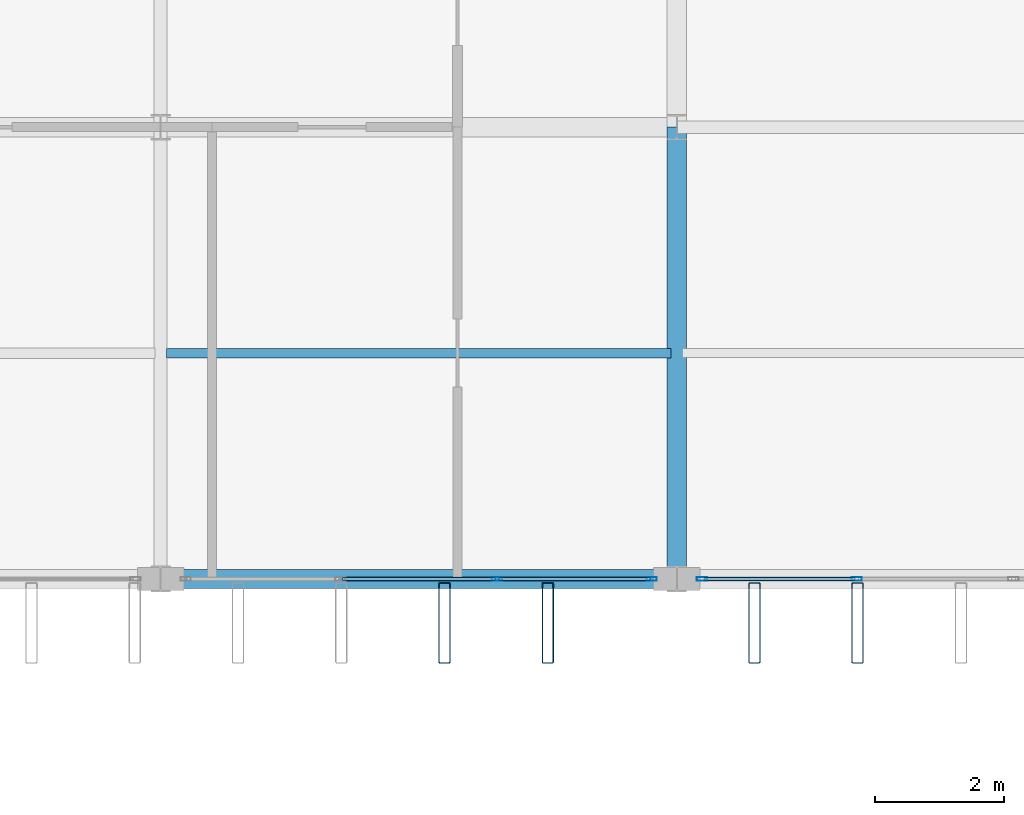
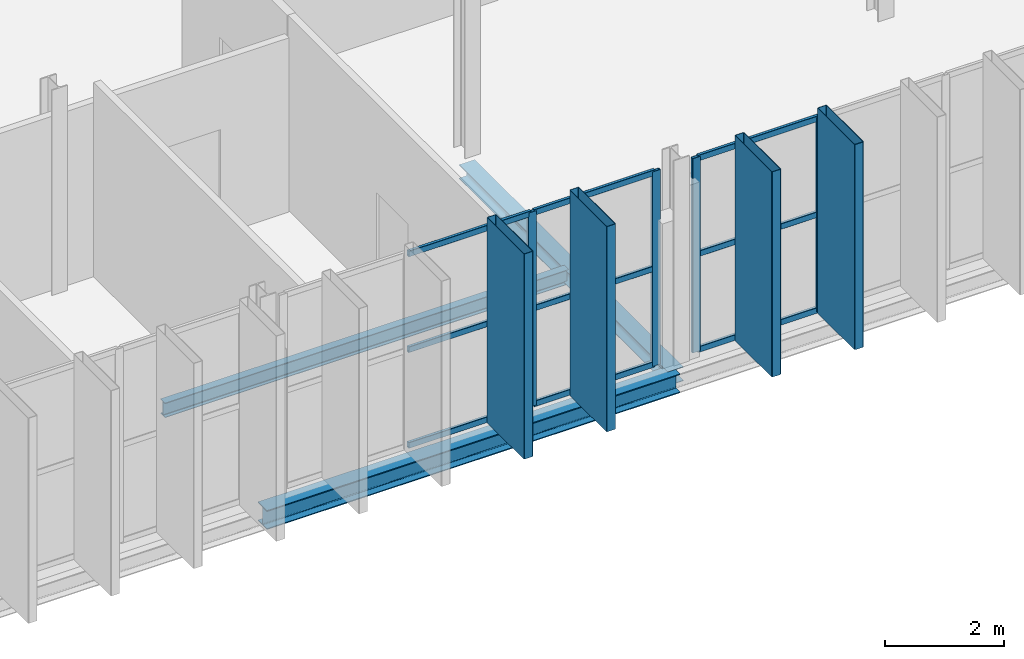
# One storey, part 26 of 101: 17 members, 3 beams, 2 elements without a shape of their own.
"""IFC4 building model written with IfcOpenShell, lengths in metres."""

from ifc_helpers import new_model, si_unit, direction, frame, origin, origin_2d, place, context, subcontext, project, spatial, hollow_rectangle, i_section, extrude, material, layer, layer_set, material_profile, profile_set, type_object, element, aggregate, save


model = new_model("IFC4")

# Units and contexts
model_context = context("Model", 3, precision=1e-05, world=origin(), true_north=direction((0.0, 1.0)))
body_context = subcontext(model_context, "Body", "Model", "MODEL_VIEW")
ifc_project = project(units=[si_unit("LENGTHUNIT", "METRE"), si_unit("AREAUNIT", "SQUARE_METRE"), si_unit("VOLUMEUNIT", "CUBIC_METRE"), si_unit("PLANEANGLEUNIT", "RADIAN"), si_unit("MASSUNIT", "GRAM", prefix="KILO")], contexts=[model_context])

# Site, building, storey
site_placement = place(None, origin())
site = spatial("IfcSite", under=ifc_project, at=site_placement, CompositionType="ELEMENT")
building_placement = place(site_placement, origin())
building = spatial("IfcBuilding", under=site, at=building_placement, Name="Vekula Escarpment Museum", CompositionType="ELEMENT")
storey_placement = place(building_placement, frame((0.0, 0.0, 18.0)))
storey = spatial("IfcBuildingStorey", under=building, at=storey_placement, Name="L04", CompositionType="ELEMENT", Elevation=18.0)

# Beams
ifc_material_1 = material(Name="Steel S355", Category="steel")
ifc_material_profile_1 = material_profile(ifc_material_1, i_section(OverallWidth=0.14990234375, OverallDepth=0.300048828125, WebThickness=0.007080078125, FlangeThickness=0.0107421875, FilletRadius=0.014892578125, at=origin_2d()), Name="IPE 300")
ifc_profile_set_1 = profile_set([ifc_material_profile_1], Name="Steel S355")
beam_type_1 = type_object("IfcBeamType", Name="BM-JST-IPE300", PredefinedType="JOIST", material=ifc_profile_set_1)
beam_1_placement = place(storey_placement, frame((78.090087890625, 49.10009765625, -0.389892578125), z_axis=(1.0, 0.0, 0.0), x_axis=(0.0, 1.0, 0.0)))
element("IfcBeam", 1, at=beam_1_placement, inside=storey, type_object=beam_type_1, Name="Secondary Joist L04 1204", PredefinedType="JOIST", context=body_context, shape_type="SweptSolid", body=[
    extrude(i_section(OverallWidth=0.14990234375, OverallDepth=0.300048828125, WebThickness=0.007080078125, FlangeThickness=0.0107421875, FilletRadius=0.014892578125, at=origin_2d()), origin(), (0.0, 0.0, 1.0), 7.81982421875),
])
ifc_material_2 = material(Name="Steel S355", Category="steel")
ifc_material_profile_2 = material_profile(ifc_material_2, i_section(OverallWidth=0.300048828125, OverallDepth=0.2900390625, WebThickness=0.008544921875, FlangeThickness=0.013916015625, FilletRadius=0.027099609375, at=origin_2d()), Name="HEA 300")
ifc_profile_set_2 = profile_set([ifc_material_profile_2], Name="Steel S355")
beam_type_2 = type_object("IfcBeamType", Name="BM-SPAN-HEA300", PredefinedType="SPANDREL", material=ifc_profile_set_2)
beam_2_placement = place(storey_placement, frame((86.0, 45.60009765625, -0.385009765625), z_axis=(0.0, 1.0, 0.0), x_axis=(-1.0, 0.0, 0.0)))
element("IfcBeam", 2, at=beam_2_placement, inside=storey, type_object=beam_type_2, Name="Beam Y L04 1885", PredefinedType="SPANDREL", context=body_context, shape_type="SweptSolid", body=[
    extrude(i_section(OverallWidth=0.300048828125, OverallDepth=0.2900390625, WebThickness=0.008544921875, FlangeThickness=0.013916015625, FilletRadius=0.027099609375, at=origin_2d()), origin(), (0.0, 0.0, 1.0), 7.0),
])
ifc_material_3 = material(Name="Steel S355", Category="steel")
ifc_material_profile_3 = material_profile(ifc_material_3, i_section(OverallWidth=0.300048828125, OverallDepth=0.389892578125, WebThickness=0.010986328125, FlangeThickness=0.01904296875, FilletRadius=0.027099609375, at=origin_2d()), Name="HEA 400")
ifc_profile_set_3 = profile_set([ifc_material_profile_3], Name="Steel S355")
beam_type_3 = type_object("IfcBeamType", Name="BM-SPAN-HEA400", PredefinedType="SPANDREL", material=ifc_profile_set_3)
beam_3_placement = place(storey_placement, frame((78.0, 45.60009765625, -0.43505859375), z_axis=(1.0, 0.0, 0.0), x_axis=(0.0, 1.0, 0.0)))
element("IfcBeam", 3, at=beam_3_placement, inside=storey, type_object=beam_type_3, Name="Beam X L04 1684", PredefinedType="SPANDREL", context=body_context, shape_type="SweptSolid", body=[
    extrude(i_section(OverallWidth=0.300048828125, OverallDepth=0.389892578125, WebThickness=0.010986328125, FlangeThickness=0.01904296875, FilletRadius=0.027099609375, at=origin_2d()), origin(), (0.0, 0.0, 1.0), 8.0),
])

# Curtain wall, members
ifc_material_4 = material(Name="Aluminium thermally broken framing", Category="aluminium")
ifc_layer_1 = layer(ifc_material_4, 0.199951171875)
ifc_layer_set_1 = layer_set([ifc_layer_1], Name="Aluminium thermally broken framing")
curtain_wall_type_1 = type_object("IfcCurtainWallType", Name="CW-SYS-03", PredefinedType="NOTDEFINED", material=ifc_layer_set_1)
curtain_wall_1_placement = place(storey_placement, origin())
curtain_wall_1 = element("IfcCurtainWall", 4, at=curtain_wall_1_placement, inside=storey, type_object=curtain_wall_type_1, Name="Curtain Wall CW-L04-133", PredefinedType="NOTDEFINED")
ifc_material_5 = material(Name="Aluminium anodized mullion", Category="aluminium")
ifc_material_profile_4 = material_profile(ifc_material_5, hollow_rectangle(XDim=0.06005859375, YDim=0.159912109375, WallThickness=0.00390625, InnerFilletRadius=0.00390625, OuterFilletRadius=0.008056640625, at=origin_2d()), Name="ALU 160x60x4")
ifc_profile_set_4 = profile_set([ifc_material_profile_4], Name="Aluminium anodized mullion")
member_type_1 = type_object("IfcMemberType", Name="CW-MUL-160", PredefinedType="MULLION", material=ifc_profile_set_4)
member_1_placement = place(storey_placement, frame((83.21337890625, 45.60009765625, 0.0), z_axis=(0.0, 0.0, 1.0), x_axis=(0.0, 1.0, 0.0)))
member_1 = element("IfcMember", 5, at=member_1_placement, type_object=member_type_1, Name="CW-03 mullion 3", PredefinedType="MULLION", context=body_context, shape_type="SweptSolid", body=[
    extrude(hollow_rectangle(XDim=0.06005859375, YDim=0.159912109375, WallThickness=0.00390625, InnerFilletRadius=0.00390625, OuterFilletRadius=0.008056640625, at=origin_2d()), origin(), (0.0, 0.0, 1.0), 3.97998046875),
])
member_2_placement = place(storey_placement, frame((85.610107421875, 45.60009765625, 0.0), z_axis=(0.0, 0.0, 1.0), x_axis=(0.0, 1.0, 0.0)))
member_2 = element("IfcMember", 6, at=member_2_placement, type_object=member_type_1, Name="CW-03 mullion 4", PredefinedType="MULLION", context=body_context, shape_type="SweptSolid", body=[
    extrude(hollow_rectangle(XDim=0.06005859375, YDim=0.159912109375, WallThickness=0.00390625, InnerFilletRadius=0.00390625, OuterFilletRadius=0.008056640625, at=origin_2d()), origin(), (0.0, 0.0, 1.0), 3.97998046875),
])

ifc_material_6 = material(Name="Aluminium thermally broken framing", Category="aluminium")
ifc_layer_2 = layer(ifc_material_6, 0.199951171875)
ifc_layer_set_2 = layer_set([ifc_layer_2], Name="Aluminium thermally broken framing")
curtain_wall_type_2 = type_object("IfcCurtainWallType", Name="CW-SYS-04", PredefinedType="NOTDEFINED", material=ifc_layer_set_2)
curtain_wall_2_placement = place(storey_placement, origin())
curtain_wall_2 = element("IfcCurtainWall", 7, at=curtain_wall_2_placement, inside=storey, type_object=curtain_wall_type_2, Name="Curtain Wall CW-L04-134", PredefinedType="NOTDEFINED")
member_3_placement = place(storey_placement, frame((86.389892578125, 45.60009765625, 0.0), z_axis=(0.0, 0.0, 1.0), x_axis=(0.0, 1.0, 0.0)))
member_3 = element("IfcMember", 8, at=member_3_placement, type_object=member_type_1, Name="CW-04 mullion 1", PredefinedType="MULLION", context=body_context, shape_type="SweptSolid", body=[
    extrude(hollow_rectangle(XDim=0.06005859375, YDim=0.159912109375, WallThickness=0.00390625, InnerFilletRadius=0.00390625, OuterFilletRadius=0.008056640625, at=origin_2d()), origin(), (0.0, 0.0, 1.0), 3.97998046875),
])
member_4_placement = place(storey_placement, frame((88.78662109375, 45.60009765625, 0.0), z_axis=(0.0, 0.0, 1.0), x_axis=(0.0, 1.0, 0.0)))
member_4 = element("IfcMember", 9, at=member_4_placement, type_object=member_type_1, Name="CW-04 mullion 2", PredefinedType="MULLION", context=body_context, shape_type="SweptSolid", body=[
    extrude(hollow_rectangle(XDim=0.06005859375, YDim=0.159912109375, WallThickness=0.00390625, InnerFilletRadius=0.00390625, OuterFilletRadius=0.008056640625, at=origin_2d()), origin(), (0.0, 0.0, 1.0), 3.97998046875),
])

# Member
ifc_material_7 = material(Name="Aluminium anodized transom", Category="aluminium")
ifc_material_profile_5 = material_profile(ifc_material_7, hollow_rectangle(XDim=0.06005859375, YDim=0.1201171875, WallThickness=0.00390625, InnerFilletRadius=0.00390625, OuterFilletRadius=0.008056640625, at=origin_2d()), Name="ALU 120x60x4")
ifc_profile_set_5 = profile_set([ifc_material_profile_5], Name="Aluminium anodized transom")
member_type_2 = type_object("IfcMemberType", Name="CW-TRN-120", PredefinedType="USERDEFINED", material=ifc_profile_set_5)
member_5_placement = place(storey_placement, frame((80.816650390625, 45.60009765625, 0.030029296875), z_axis=(1.0, 0.0, 0.0), x_axis=(0.0, 1.0, 0.0)))
member_5 = element("IfcMember", 10, at=member_5_placement, type_object=member_type_2, Name="CW-03 transom 2.1", ObjectType="TRANSOM", PredefinedType="USERDEFINED", context=body_context, shape_type="SweptSolid", body=[
    extrude(hollow_rectangle(XDim=0.06005859375, YDim=0.1201171875, WallThickness=0.00390625, InnerFilletRadius=0.00390625, OuterFilletRadius=0.008056640625, at=origin_2d()), origin(), (0.0, 0.0, 1.0), 2.36669921875),
])

member_6_placement = place(storey_placement, frame((80.816650390625, 45.60009765625, 1.989990234375), z_axis=(1.0, 0.0, 0.0), x_axis=(0.0, 1.0, 0.0)))
member_6 = element("IfcMember", 11, at=member_6_placement, type_object=member_type_2, Name="CW-03 transom 2.2", ObjectType="TRANSOM", PredefinedType="USERDEFINED", context=body_context, shape_type="SweptSolid", body=[
    extrude(hollow_rectangle(XDim=0.06005859375, YDim=0.1201171875, WallThickness=0.00390625, InnerFilletRadius=0.00390625, OuterFilletRadius=0.008056640625, at=origin_2d()), origin(), (0.0, 0.0, 1.0), 2.36669921875),
])

member_7_placement = place(storey_placement, frame((80.816650390625, 45.60009765625, 3.949951171875), z_axis=(1.0, 0.0, 0.0), x_axis=(0.0, 1.0, 0.0)))
member_7 = element("IfcMember", 12, at=member_7_placement, type_object=member_type_2, Name="CW-03 transom 2.3", ObjectType="TRANSOM", PredefinedType="USERDEFINED", context=body_context, shape_type="SweptSolid", body=[
    extrude(hollow_rectangle(XDim=0.06005859375, YDim=0.1201171875, WallThickness=0.00390625, InnerFilletRadius=0.00390625, OuterFilletRadius=0.008056640625, at=origin_2d()), origin(), (0.0, 0.0, 1.0), 2.36669921875),
])

member_8_placement = place(storey_placement, frame((83.243408203125, 45.60009765625, 0.030029296875), z_axis=(1.0, 0.0, 0.0), x_axis=(0.0, 1.0, 0.0)))
member_8 = element("IfcMember", 13, at=member_8_placement, type_object=member_type_2, Name="CW-03 transom 3.1", ObjectType="TRANSOM", PredefinedType="USERDEFINED", context=body_context, shape_type="SweptSolid", body=[
    extrude(hollow_rectangle(XDim=0.06005859375, YDim=0.1201171875, WallThickness=0.00390625, InnerFilletRadius=0.00390625, OuterFilletRadius=0.008056640625, at=origin_2d()), origin(), (0.0, 0.0, 1.0), 2.336669921875),
])

member_9_placement = place(storey_placement, frame((83.243408203125, 45.60009765625, 1.989990234375), z_axis=(1.0, 0.0, 0.0), x_axis=(0.0, 1.0, 0.0)))
member_9 = element("IfcMember", 14, at=member_9_placement, type_object=member_type_2, Name="CW-03 transom 3.2", ObjectType="TRANSOM", PredefinedType="USERDEFINED", context=body_context, shape_type="SweptSolid", body=[
    extrude(hollow_rectangle(XDim=0.06005859375, YDim=0.1201171875, WallThickness=0.00390625, InnerFilletRadius=0.00390625, OuterFilletRadius=0.008056640625, at=origin_2d()), origin(), (0.0, 0.0, 1.0), 2.336669921875),
])

member_10_placement = place(storey_placement, frame((83.243408203125, 45.60009765625, 3.949951171875), z_axis=(1.0, 0.0, 0.0), x_axis=(0.0, 1.0, 0.0)))
member_10 = element("IfcMember", 15, at=member_10_placement, type_object=member_type_2, Name="CW-03 transom 3.3", ObjectType="TRANSOM", PredefinedType="USERDEFINED", context=body_context, shape_type="SweptSolid", body=[
    extrude(hollow_rectangle(XDim=0.06005859375, YDim=0.1201171875, WallThickness=0.00390625, InnerFilletRadius=0.00390625, OuterFilletRadius=0.008056640625, at=origin_2d()), origin(), (0.0, 0.0, 1.0), 2.336669921875),
])

aggregate(curtain_wall_1, [member_1, member_2, member_5, member_6, member_7, member_8, member_9, member_10])

member_11_placement = place(storey_placement, frame((86.419921875, 45.60009765625, 0.030029296875), z_axis=(1.0, 0.0, 0.0), x_axis=(0.0, 1.0, 0.0)))
member_11 = element("IfcMember", 16, at=member_11_placement, type_object=member_type_2, Name="CW-04 transom 1.1", ObjectType="TRANSOM", PredefinedType="USERDEFINED", context=body_context, shape_type="SweptSolid", body=[
    extrude(hollow_rectangle(XDim=0.06005859375, YDim=0.1201171875, WallThickness=0.00390625, InnerFilletRadius=0.00390625, OuterFilletRadius=0.008056640625, at=origin_2d()), origin(), (0.0, 0.0, 1.0), 2.336669921875),
])

member_12_placement = place(storey_placement, frame((86.419921875, 45.60009765625, 1.989990234375), z_axis=(1.0, 0.0, 0.0), x_axis=(0.0, 1.0, 0.0)))
member_12 = element("IfcMember", 17, at=member_12_placement, type_object=member_type_2, Name="CW-04 transom 1.2", ObjectType="TRANSOM", PredefinedType="USERDEFINED", context=body_context, shape_type="SweptSolid", body=[
    extrude(hollow_rectangle(XDim=0.06005859375, YDim=0.1201171875, WallThickness=0.00390625, InnerFilletRadius=0.00390625, OuterFilletRadius=0.008056640625, at=origin_2d()), origin(), (0.0, 0.0, 1.0), 2.336669921875),
])

member_13_placement = place(storey_placement, frame((86.419921875, 45.60009765625, 3.949951171875), z_axis=(1.0, 0.0, 0.0), x_axis=(0.0, 1.0, 0.0)))
member_13 = element("IfcMember", 18, at=member_13_placement, type_object=member_type_2, Name="CW-04 transom 1.3", ObjectType="TRANSOM", PredefinedType="USERDEFINED", context=body_context, shape_type="SweptSolid", body=[
    extrude(hollow_rectangle(XDim=0.06005859375, YDim=0.1201171875, WallThickness=0.00390625, InnerFilletRadius=0.00390625, OuterFilletRadius=0.008056640625, at=origin_2d()), origin(), (0.0, 0.0, 1.0), 2.336669921875),
])

aggregate(curtain_wall_2, [member_3, member_4, member_11, member_12, member_13])

# Members
ifc_material_8 = material(Name="Steel S355 weathered bronze solar fin", Category="steel")
ifc_material_profile_6 = material_profile(ifc_material_8, hollow_rectangle(XDim=0.179931640625, YDim=1.25, WallThickness=0.010009765625, InnerFilletRadius=0.010009765625, OuterFilletRadius=0.02001953125, at=origin_2d()), Name="RHS 1250x180x10")
ifc_profile_set_6 = profile_set([ifc_material_profile_6], Name="Steel S355 weathered bronze solar fin")
member_type_3 = type_object("IfcMemberType", Name="MB-SOLAR-FIN", PredefinedType="USERDEFINED", material=ifc_profile_set_6)
for number, where, z_axis, x_axis, name in (
    (19, (82.39990234375, 44.919921875, 0.0), (0.0, 0.0, 1.0), (1.0, 0.0, 0.0), "Great Hall Vertical Solar Fin 0039"),
    (20, (84.0, 44.919921875, 0.0), (0.0, 0.0, 1.0), (1.0, 0.0, 0.0), "Great Hall Vertical Solar Fin 0044"),
    (21, (87.199951171875, 44.919921875, 0.0), (0.0, 0.0, 1.0), (1.0, 0.0, 0.0), "Great Hall Vertical Solar Fin 0049"),
    (22, (88.800048828125, 44.919921875, 0.0), (0.0, 0.0, 1.0), (1.0, 0.0, 0.0), "Great Hall Vertical Solar Fin 0054"),
):
    element("IfcMember", number, at=place(storey_placement, frame(where, z_axis=z_axis, x_axis=x_axis)), inside=storey, type_object=member_type_3, Name=name, ObjectType="SOLAR FIN", PredefinedType="USERDEFINED", context=body_context, shape_type="SweptSolid", body=[
        extrude(hollow_rectangle(XDim=0.179931640625, YDim=1.25, WallThickness=0.010009765625, InnerFilletRadius=0.010009765625, OuterFilletRadius=0.02001953125, at=origin_2d()), origin(), (0.0, 0.0, 1.0), 4.199951171875),
    ])

save(model, "model.ifc")
